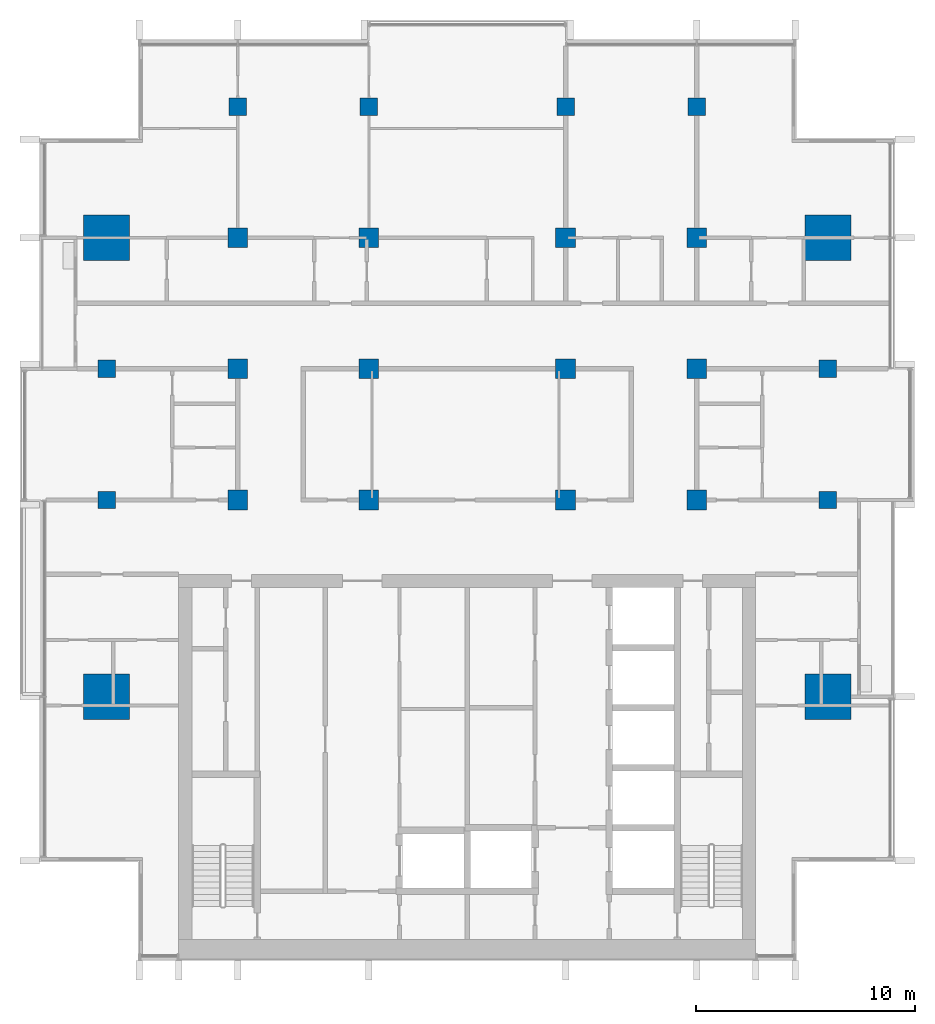
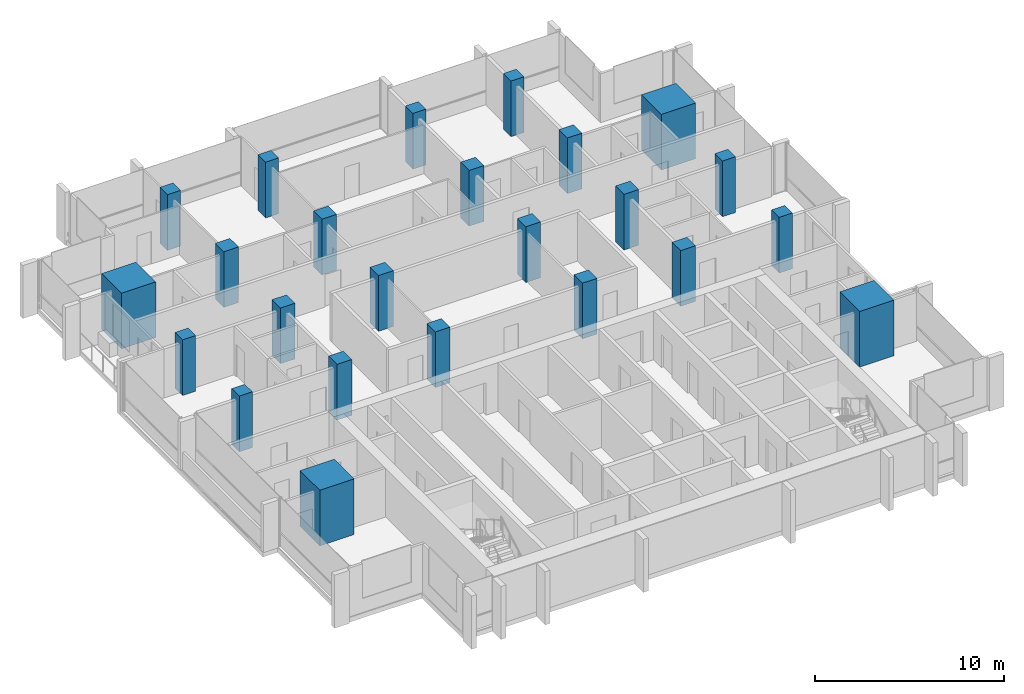
# One storey, part 1 of 16: 24 columns.
"""IFC4 building model written with IfcOpenShell, lengths in metres."""

from ifc_helpers import new_model, si_unit, direction, frame, origin, origin_2d, place, context, subcontext, project, spatial, rectangle, extrude, material, material_profile, profile_set, type_object, element, save


model = new_model("IFC4")

# Units and contexts
model_context = context("Model", 3, precision=1e-05, world=origin(), true_north=direction((0.0, 1.0)))
body_context = subcontext(model_context, "Body", "Model", "MODEL_VIEW")
ifc_project = project(units=[si_unit("LENGTHUNIT", "METRE"), si_unit("AREAUNIT", "SQUARE_METRE"), si_unit("VOLUMEUNIT", "CUBIC_METRE"), si_unit("PLANEANGLEUNIT", "RADIAN"), si_unit("MASSUNIT", "GRAM", prefix="KILO")], contexts=[model_context])

# Site, building, storey
site_placement = place(None, origin())
site = spatial("IfcSite", under=ifc_project, at=site_placement, CompositionType="ELEMENT")
building_placement = place(site_placement, origin())
building = spatial("IfcBuilding", under=site, at=building_placement, Name="Finial Court Residences", CompositionType="ELEMENT")
storey_placement = place(building_placement, frame((0.0, 0.0, 244.699951171875)))
storey = spatial("IfcBuildingStorey", under=building, at=storey_placement, Name="L62", CompositionType="ELEMENT", Elevation=244.699951171875)

# Columns
ifc_material = material(Name="Concrete C50/60", Category="concrete")
ifc_material_profile_1 = material_profile(ifc_material, rectangle(XDim=0.89990234375, YDim=0.89990234375, at=origin_2d()), Name="900x900")
ifc_profile_set_1 = profile_set([ifc_material_profile_1], Name="Concrete C50/60")
column_type_1 = type_object("IfcColumnType", Name="Interior column 900x900 Concrete C50/60", PredefinedType="COLUMN", material=ifc_profile_set_1)
for number, where, z_axis, x_axis, name in (
    (1, (-10.5, -4.5, 0.0), (0.0, 0.0, 1.0), (1.0, 0.0, 0.0), "S:COL:L62:D4"),
    (2, (-10.5, 1.5, 0.0), (0.0, 0.0, 1.0), (1.0, 0.0, 0.0), "S:COL:L62:D5"),
    (3, (-10.5, 7.5, 0.0), (0.0, 0.0, 1.0), (1.0, 0.0, 0.0), "S:COL:L62:D6"),
    (4, (-4.5, -4.5, 0.0), (0.0, 0.0, 1.0), (1.0, 0.0, 0.0), "S:COL:L62:E4"),
    (5, (-4.5, 1.5, 0.0), (0.0, 0.0, 1.0), (1.0, 0.0, 0.0), "S:COL:L62:E5"),
    (6, (-4.5, 7.5, 0.0), (0.0, 0.0, 1.0), (1.0, 0.0, 0.0), "S:COL:L62:E6"),
    (7, (4.5, -4.5, 0.0), (0.0, 0.0, 1.0), (1.0, 0.0, 0.0), "S:COL:L62:F4"),
    (8, (4.5, 1.5, 0.0), (0.0, 0.0, 1.0), (1.0, 0.0, 0.0), "S:COL:L62:F5"),
    (9, (4.5, 7.5, 0.0), (0.0, 0.0, 1.0), (1.0, 0.0, 0.0), "S:COL:L62:F6"),
    (10, (10.5, -4.5, 0.0), (0.0, 0.0, 1.0), (1.0, 0.0, 0.0), "S:COL:L62:G4"),
    (11, (10.5, 1.5, 0.0), (0.0, 0.0, 1.0), (1.0, 0.0, 0.0), "S:COL:L62:G5"),
    (12, (10.5, 7.5, 0.0), (0.0, 0.0, 1.0), (1.0, 0.0, 0.0), "S:COL:L62:G6"),
):
    element("IfcColumn", number, at=place(storey_placement, frame(where, z_axis=z_axis, x_axis=x_axis)), inside=storey, type_object=column_type_1, Name=name, PredefinedType="COLUMN", context=body_context, shape_type="SweptSolid", body=[
        extrude(rectangle(XDim=0.89990234375, YDim=0.89990234375, at=origin_2d()), origin(), (0.0, 0.0, 1.0), 3.60009765625),
    ])
ifc_material_profile_2 = material_profile(ifc_material, rectangle(XDim=2.10009765625, YDim=2.10009765625, at=origin_2d()), Name="2100x2100")
ifc_profile_set_2 = profile_set([ifc_material_profile_2], Name="Concrete C50/60")
column_type_2 = type_object("IfcColumnType", Name="Mega column 2100x2100 Concrete C50/60", PredefinedType="COLUMN", material=ifc_profile_set_2)
for number, where, z_axis, x_axis, name in (
    (13, (-16.5, -13.5, 0.0), (0.0, 0.0, 1.0), (1.0, 0.0, 0.0), "S:COL:L62:C3"),
    (14, (-16.5, 7.5, 0.0), (0.0, 0.0, 1.0), (1.0, 0.0, 0.0), "S:COL:L62:C6"),
    (15, (16.5, -13.5, 0.0), (0.0, 0.0, 1.0), (1.0, 0.0, 0.0), "S:COL:L62:H3"),
    (16, (16.5, 7.5, 0.0), (0.0, 0.0, 1.0), (1.0, 0.0, 0.0), "S:COL:L62:H6"),
):
    element("IfcColumn", number, at=place(storey_placement, frame(where, z_axis=z_axis, x_axis=x_axis)), inside=storey, type_object=column_type_2, Name=name, PredefinedType="COLUMN", context=body_context, shape_type="SweptSolid", body=[
        extrude(rectangle(XDim=2.10009765625, YDim=2.10009765625, at=origin_2d()), origin(), (0.0, 0.0, 1.0), 3.60009765625),
    ])
ifc_material_profile_3 = material_profile(ifc_material, rectangle(XDim=0.800048828125, YDim=0.800048828125, at=origin_2d()), Name="800x800")
ifc_profile_set_3 = profile_set([ifc_material_profile_3], Name="Concrete C50/60")
column_type_3 = type_object("IfcColumnType", Name="Perimeter column 800x800 Concrete C50/60", PredefinedType="COLUMN", material=ifc_profile_set_3)
for number, where, z_axis, x_axis, name in (
    (17, (-16.5, -4.5, 0.0), (0.0, 0.0, 1.0), (1.0, 0.0, 0.0), "S:COL:L62:C4"),
    (18, (-16.5, 1.5, 0.0), (0.0, 0.0, 1.0), (1.0, 0.0, 0.0), "S:COL:L62:C5"),
    (19, (-10.5, 13.5, 0.0), (0.0, 0.0, 1.0), (1.0, 0.0, 0.0), "S:COL:L62:D7"),
    (20, (-4.5, 13.5, 0.0), (0.0, 0.0, 1.0), (1.0, 0.0, 0.0), "S:COL:L62:E7"),
    (21, (4.5, 13.5, 0.0), (0.0, 0.0, 1.0), (1.0, 0.0, 0.0), "S:COL:L62:F7"),
    (22, (10.5, 13.5, 0.0), (0.0, 0.0, 1.0), (1.0, 0.0, 0.0), "S:COL:L62:G7"),
    (23, (16.5, -4.5, 0.0), (0.0, 0.0, 1.0), (1.0, 0.0, 0.0), "S:COL:L62:H4"),
    (24, (16.5, 1.5, 0.0), (0.0, 0.0, 1.0), (1.0, 0.0, 0.0), "S:COL:L62:H5"),
):
    element("IfcColumn", number, at=place(storey_placement, frame(where, z_axis=z_axis, x_axis=x_axis)), inside=storey, type_object=column_type_3, Name=name, PredefinedType="COLUMN", context=body_context, shape_type="SweptSolid", body=[
        extrude(rectangle(XDim=0.800048828125, YDim=0.800048828125, at=origin_2d()), origin(), (0.0, 0.0, 1.0), 3.60009765625),
    ])

save(model, "model.ifc")
